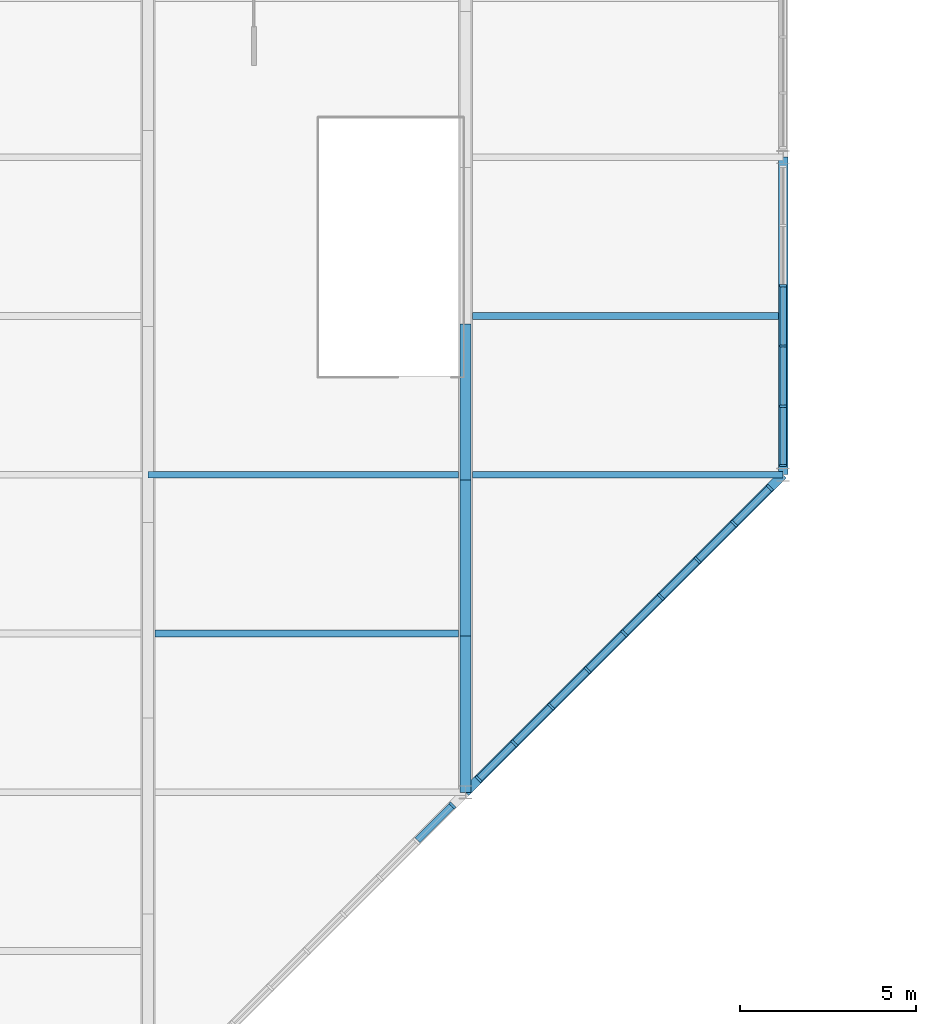
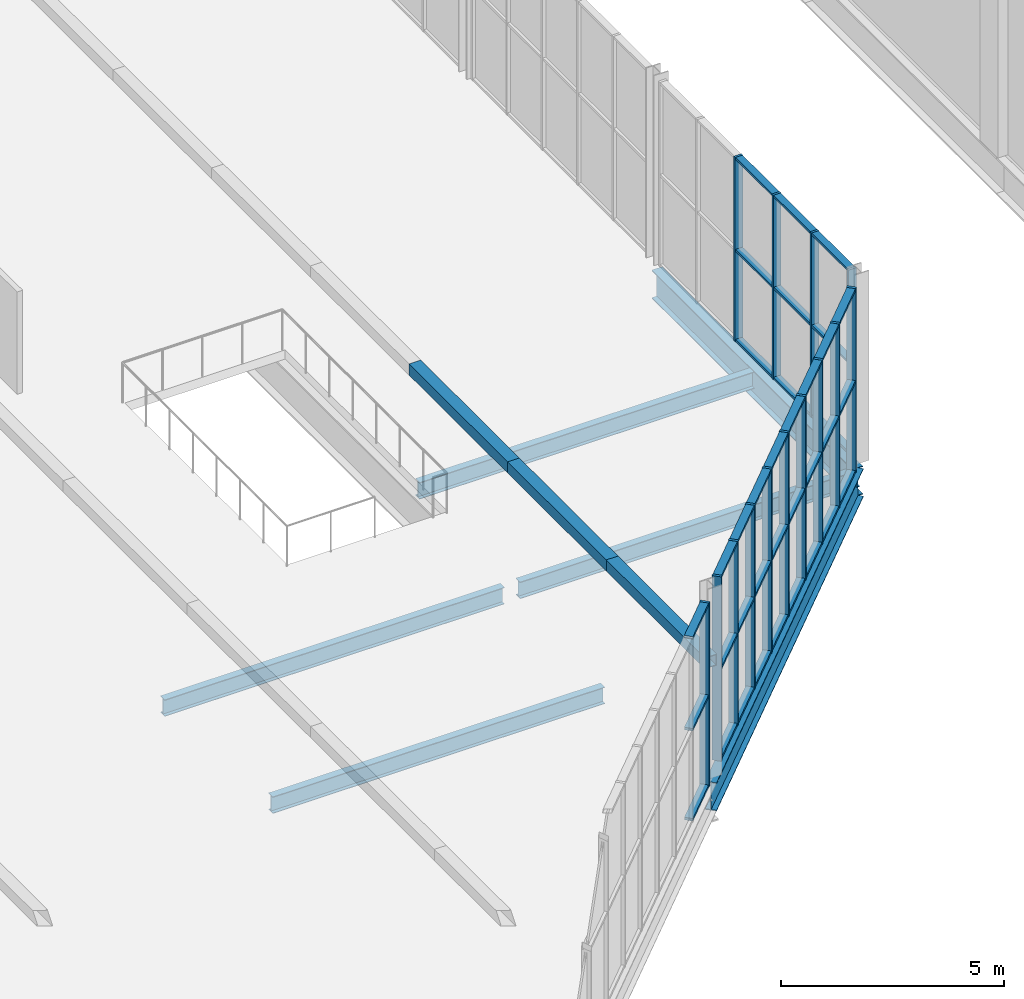
# One storey, part 26 of 134: 53 members, 6 beams, 3 elements without a shape of their own.
"""IFC4 building model written with IfcOpenShell, lengths in metres."""

import ifcopenshell
import ifcopenshell.guid

model = None  # the IFC model being written
_history = None  # IfcOwnerHistory: only IFC2X3 demands one
_inside = {}  # id of a spatial element -> (the spatial element, [elements in it])
_under = {}  # id of a project, library or spatial element -> (it, [spatial elements below it])
_declared = {}  # id of a project -> (the project, [libraries it declares])
_typed = {}  # id of a type object -> (the type object, [elements of that type])
_made_of = {}  # id of a material, layer set ... -> (it, [elements and type objects made of it])


def new_model(schema):
    """Start an empty IFC model of exactly this schema.

    Asked for "IFC4X3", IfcOpenShell would pick the latest addendum, in which some entities
    have other attributes; the version numbers below select the first issue.
    IFC2X3 requires an IfcOwnerHistory on every rooted entity: one is made here for all.
    """
    global model, _history
    if schema == "IFC4X3":
        model = ifcopenshell.file(schema_version=(4, 3, 0, 0))
    else:
        model = ifcopenshell.file(schema=schema)
    _inside.clear()
    _under.clear()
    _declared.clear()
    _typed.clear()
    _made_of.clear()
    _history = None
    if model.schema == "IFC2X3":
        org = make("IfcOrganization", Name="unknown")
        user = make(
            "IfcPersonAndOrganization",
            ThePerson=make("IfcPerson", FamilyName="unknown"),
            TheOrganization=org,
        )
        app = make(
            "IfcApplication",
            ApplicationDeveloper=org,
            Version="unknown",
            ApplicationFullName="unknown",
            ApplicationIdentifier="unknown",
        )
        _history = make(
            "IfcOwnerHistory",
            OwningUser=user,
            OwningApplication=app,
            ChangeAction="ADDED",
            CreationDate=0,
        )
    return model


def make(cls, **values):
    """One entity of the class cls with the attributes given. An attribute that is None is left unset."""
    return model.create_entity(
        cls, **{name: value for name, value in values.items() if value is not None}
    )


def rooted(cls, **values):
    """An entity with a GlobalId (a new one), such as an element, a storey or a relation."""
    return make(cls, GlobalId=ifcopenshell.guid.new(), OwnerHistory=_history, **values)


def si_unit(unit_type, name, prefix=None):
    """IfcSIUnit, for example si_unit("LENGTHUNIT", "METRE", prefix="MILLI")."""
    return make("IfcSIUnit", UnitType=unit_type, Prefix=prefix, Name=name)


def assignment(units):
    """IfcUnitAssignment: the units of a project."""
    return None if units is None else make("IfcUnitAssignment", Units=units)


def point(xyz):
    """IfcCartesianPoint."""
    return None if xyz is None else make("IfcCartesianPoint", Coordinates=xyz)


def direction(xyz):
    """IfcDirection."""
    return None if xyz is None else make("IfcDirection", DirectionRatios=xyz)


def frame(location, z_axis=None, x_axis=None):
    """IfcAxis2Placement3D, a coordinate frame: its origin and axes. An axis left out is left unset."""
    return make(
        "IfcAxis2Placement3D",
        Location=point(location),
        Axis=direction(z_axis),
        RefDirection=direction(x_axis),
    )


def frame_2d(location, x_axis=None):
    """IfcAxis2Placement2D, a coordinate frame in the plane: its origin and x axis."""
    return make(
        "IfcAxis2Placement2D", Location=point(location), RefDirection=direction(x_axis)
    )


def origin():
    """The frame at (0, 0, 0) with its axes left unset."""
    return frame((0.0, 0.0, 0.0))


def origin_2d():
    """The frame at (0, 0) in the plane with its x axis left unset."""
    return frame_2d((0.0, 0.0))


def place(relative_to, where):
    """IfcLocalPlacement: puts the frame where relative to a parent placement (None: the world)."""
    return make(
        "IfcLocalPlacement", PlacementRelTo=relative_to, RelativePlacement=where
    )


def context(
    kind, dimensions, precision=None, world=None, true_north=None, identifier=None
):
    """IfcGeometricRepresentationContext, for example the 3D "Model" context."""
    return make(
        "IfcGeometricRepresentationContext",
        ContextIdentifier=identifier,
        ContextType=kind,
        CoordinateSpaceDimension=dimensions,
        Precision=precision,
        WorldCoordinateSystem=world,
        TrueNorth=true_north,
    )


def subcontext(parent, identifier, kind, view, scale=None):
    """IfcGeometricRepresentationSubContext, for example "Body" below "Model"."""
    return make(
        "IfcGeometricRepresentationSubContext",
        ContextIdentifier=identifier,
        ContextType=kind,
        ParentContext=parent,
        TargetScale=scale,
        TargetView=view,
    )


def project(units=None, contexts=None):
    """IfcProject with its units and contexts."""
    return rooted(
        "IfcProject",
        Name="project",
        RepresentationContexts=contexts,
        UnitsInContext=assignment(units),
    )


def spatial(cls, under=None, at=None, **own):
    """A site, building, storey or space (cls), placed at a placement, below another one or the project."""
    s = rooted(cls, ObjectPlacement=at, **own)
    if under is not None:
        _under.setdefault(under.id(), (under, []))[1].append(s)
    return s


def profile(cls, at=None, kind="AREA", **sizes):
    """A parametric profile (cls). Its sizes go by their IFC names, for example OverallWidth=200.0."""
    return make(cls, ProfileType=kind, Position=at, **sizes)


def rectangle(**sizes):
    """IfcRectangleProfileDef."""
    return profile("IfcRectangleProfileDef", **sizes)


def hollow_rectangle(**sizes):
    """IfcRectangleHollowProfileDef."""
    return profile("IfcRectangleHollowProfileDef", **sizes)


def i_section(**sizes):
    """IfcIShapeProfileDef."""
    return profile("IfcIShapeProfileDef", **sizes)


def extrude(swept, where, along, depth):
    """IfcExtrudedAreaSolid: the profile swept, set in the frame where, extruded along a direction by depth."""
    return make(
        "IfcExtrudedAreaSolid",
        SweptArea=swept,
        Position=where,
        ExtrudedDirection=direction(along),
        Depth=depth,
    )


def shape(context_of_items, identifier, shape_type, items):
    """IfcShapeRepresentation: the items that make up one representation, for example the "Body"."""
    return make(
        "IfcShapeRepresentation",
        ContextOfItems=context_of_items,
        RepresentationIdentifier=identifier,
        RepresentationType=shape_type,
        Items=items,
    )


def material(Name=None, Category=None):
    """IfcMaterial."""
    return make("IfcMaterial", Name=Name, Category=Category)


def layer(
    of_material, thickness, ventilated=None, Name=None, Category=None, Priority=None
):
    """IfcMaterialLayer: one layer of a wall or slab, of a material (None: an air gap)."""
    return make(
        "IfcMaterialLayer",
        Material=of_material,
        LayerThickness=thickness,
        IsVentilated=ventilated,
        Name=Name,
        Category=Category,
        Priority=Priority,
    )


def layer_set(layers, Name=None):
    """IfcMaterialLayerSet."""
    return make("IfcMaterialLayerSet", MaterialLayers=layers, LayerSetName=Name)


def material_profile(
    of_material, cross_section, Name=None, Category=None, Priority=None
):
    """IfcMaterialProfile: a cross section and its material."""
    return make(
        "IfcMaterialProfile",
        Name=Name,
        Material=of_material,
        Profile=cross_section,
        Priority=Priority,
        Category=Category,
    )


def profile_set(profiles, Name=None, composite=None):
    """IfcMaterialProfileSet."""
    return make(
        "IfcMaterialProfileSet",
        Name=Name,
        MaterialProfiles=profiles,
        CompositeProfile=composite,
    )


def made_of(thing, what):
    """Note that an element or type object is made of a material, layer set ...; save() writes the relation."""
    if what is not None:
        _made_of.setdefault(what.id(), (what, []))[1].append(thing)
    return thing


def type_object(cls, material=None, **own):
    """A type object (cls), such as IfcWallType, which elements share."""
    return made_of(rooted(cls, **own), material)


def element(
    cls,
    number,
    at=None,
    inside=None,
    cuts=None,
    type_object=None,
    material=None,
    context=None,
    identifier="Body",
    shape_type=None,
    held_by="IfcProductDefinitionShape",
    body=None,
    shapes=None,
    **own,
):
    """One element of the class cls, such as IfcWall. Its Tag is "e" and its number.

    at: its placement. inside: the storey or other place that contains it. cuts: it is an
    opening in that element (IfcRelVoidsElement). A single representation is given by context,
    identifier, shape_type and body (its items); several are given by shapes. held_by: the class
    of the entity that holds the representations. save() writes the other relations.
    """
    e = rooted(cls, Tag="e%d" % number, ObjectPlacement=at, **own)
    if body is not None:
        shapes = [shape(context, identifier, shape_type, body)]
    if shapes is not None:
        e.Representation = make(held_by, Representations=shapes)
    if inside is not None:
        _inside.setdefault(inside.id(), (inside, []))[1].append(e)
    if cuts is not None:
        rooted(
            "IfcRelVoidsElement", RelatingBuildingElement=cuts, RelatedOpeningElement=e
        )
    if type_object is not None:
        _typed.setdefault(type_object.id(), (type_object, []))[1].append(e)
    return made_of(e, material)


def aggregate(whole, parts):
    """IfcRelAggregates: a whole, such as a stair, and the parts it consists of."""
    return rooted("IfcRelAggregates", RelatingObject=whole, RelatedObjects=parts)


def save(model, path):
    """Write the relations noted so far, then the file.

    IfcRelAggregates (storeys below a building ...), IfcRelContainedInSpatialStructure (elements
    in a storey), IfcRelDefinesByType, IfcRelAssociatesMaterial and IfcRelDeclares: one each for
    every whole, place, type object, material and project.
    """
    for whole, parts in _under.values():
        aggregate(whole, parts)
    for where, things in _inside.values():
        rooted(
            "IfcRelContainedInSpatialStructure",
            RelatedElements=things,
            RelatingStructure=where,
        )
    for kind, things in _typed.values():
        rooted("IfcRelDefinesByType", RelatedObjects=things, RelatingType=kind)
    for what, things in _made_of.values():
        rooted("IfcRelAssociatesMaterial", RelatedObjects=things, RelatingMaterial=what)
    for by, libraries in _declared.values():
        rooted("IfcRelDeclares", RelatingContext=by, RelatedDefinitions=libraries)
    model.write(path)


model = new_model("IFC4")

# Units and contexts
model_context = context("Model", 3, precision=1e-05, world=origin(), true_north=direction((0.0, 1.0)))
body_context = subcontext(model_context, "Body", "Model", "MODEL_VIEW")
ifc_project = project(units=[si_unit("LENGTHUNIT", "METRE"), si_unit("AREAUNIT", "SQUARE_METRE"), si_unit("VOLUMEUNIT", "CUBIC_METRE"), si_unit("PLANEANGLEUNIT", "RADIAN"), si_unit("MASSUNIT", "GRAM", prefix="KILO")], contexts=[model_context])

# Site, building, storey
site_placement = place(None, origin())
site = spatial("IfcSite", under=ifc_project, at=site_placement, CompositionType="ELEMENT")
building_placement = place(site_placement, origin())
building = spatial("IfcBuilding", under=site, at=building_placement, Name="Cazmaro Siding Exhibition Halls", CompositionType="ELEMENT")
storey_placement = place(building_placement, frame((0.0, 0.0, 12.0)))
storey = spatial("IfcBuildingStorey", under=building, at=storey_placement, Name="L02", CompositionType="ELEMENT", Elevation=12.0)

# Beams
ifc_material_1 = material(Name="Steel ASTM A992 Grade 50", Category="steel")
ifc_material_profile_1 = material_profile(ifc_material_1, i_section(OverallWidth=0.26708984375, OverallDepth=0.779052734375, WebThickness=0.01708984375, FlangeThickness=0.02490234375, at=origin_2d()), Name="W30X148")
ifc_profile_set_1 = profile_set([ifc_material_profile_1], Name="Steel ASTM A992 Grade 50")
beam_type_1 = type_object("IfcBeamType", Name="B-05", PredefinedType="BEAM", material=ifc_profile_set_1)
beam_1_placement = place(storey_placement, frame((54.0, 18.0, -0.638916015625), z_axis=(0.707106781187, 0.707106781187, 0.0), x_axis=(-0.707106781187, 0.707106781187, 0.0)))
element("IfcBeam", 1, at=beam_1_placement, inside=storey, type_object=beam_type_1, Name="Beam B-05 BM-1740", PredefinedType="BEAM", context=body_context, shape_type="SweptSolid", body=[
    extrude(i_section(OverallWidth=0.26708984375, OverallDepth=0.779052734375, WebThickness=0.01708984375, FlangeThickness=0.02490234375, at=origin_2d()), origin(), (0.0, 0.0, 1.0), 12.72802734375),
])
beam_2_placement = place(storey_placement, frame((63.0, 27.0, -0.638916015625), z_axis=(0.0, 1.0, 0.0), x_axis=(-1.0, 0.0, 0.0)))
element("IfcBeam", 2, at=beam_2_placement, inside=storey, type_object=beam_type_1, Name="Beam B-05 BM-1742", PredefinedType="BEAM", context=body_context, shape_type="SweptSolid", body=[
    extrude(i_section(OverallWidth=0.26708984375, OverallDepth=0.779052734375, WebThickness=0.01708984375, FlangeThickness=0.02490234375, at=origin_2d()), origin(), (0.0, 0.0, 1.0), 9.0),
])

# Curtain wall, members
ifc_material_2 = material(Name="Anodized Bronze Aluminum and Solar-Control Low-E Glazing", Category="aluminium")
ifc_layer_1 = layer(ifc_material_2, 0.199951171875)
ifc_layer_set_1 = layer_set([ifc_layer_1], Name="Anodized Bronze Aluminum and Solar-Control Low-E Glazing")
curtain_wall_type_1 = type_object("IfcCurtainWallType", Name="CWS-02", PredefinedType="USERDEFINED", material=ifc_layer_set_1)
curtain_wall_1_placement = place(storey_placement, origin())
curtain_wall_1 = element("IfcCurtainWall", 3, at=curtain_wall_1_placement, inside=storey, type_object=curtain_wall_type_1, Name="Glazed Curtain Wall CWS-02 CW-218", ObjectType="GLAZED CURTAIN WALL", PredefinedType="USERDEFINED")
ifc_material_3 = material(Name="Anodized Bronze Extruded Aluminum", Category="aluminium")
ifc_material_profile_2 = material_profile(ifc_material_3, rectangle(XDim=0.199951171875, YDim=0.06494140625, at=origin_2d()), Name="CWM-02")
ifc_profile_set_2 = profile_set([ifc_material_profile_2], Name="Anodized Bronze Extruded Aluminum")
member_type_1 = type_object("IfcMemberType", Name="CWM-02", PredefinedType="MULLION", material=ifc_profile_set_2)
member_1_placement = place(storey_placement, frame((63.0, 27.263427734375, 0.0), z_axis=(0.0, 0.0, 1.0), x_axis=(-1.0, 0.0, 0.0)))
member_1 = element("IfcMember", 4, at=member_1_placement, type_object=member_type_1, Name="CWS-02 mullion 1", PredefinedType="MULLION", context=body_context, shape_type="SweptSolid", body=[
    extrude(rectangle(XDim=0.199951171875, YDim=0.06494140625, at=origin_2d()), origin(), (0.0, 0.0, 1.0), 5.050048828125),
])
member_2_placement = place(storey_placement, frame((63.0, 28.938720703125, 0.0), z_axis=(0.0, 0.0, 1.0), x_axis=(-1.0, 0.0, 0.0)))
member_2 = element("IfcMember", 5, at=member_2_placement, type_object=member_type_1, Name="CWS-02 mullion 2", PredefinedType="MULLION", context=body_context, shape_type="SweptSolid", body=[
    extrude(rectangle(XDim=0.199951171875, YDim=0.06494140625, at=origin_2d()), origin(), (0.0, 0.0, 1.0), 5.050048828125),
])
member_3_placement = place(storey_placement, frame((63.0, 30.646240234375, 0.0), z_axis=(0.0, 0.0, 1.0), x_axis=(-1.0, 0.0, 0.0)))
member_3 = element("IfcMember", 6, at=member_3_placement, type_object=member_type_1, Name="CWS-02 mullion 3", PredefinedType="MULLION", context=body_context, shape_type="SweptSolid", body=[
    extrude(rectangle(XDim=0.199951171875, YDim=0.06494140625, at=origin_2d()), origin(), (0.0, 0.0, 1.0), 5.050048828125),
])
member_4_placement = place(storey_placement, frame((63.0, 32.353759765625, 0.0), z_axis=(0.0, 0.0, 1.0), x_axis=(-1.0, 0.0, 0.0)))
member_4 = element("IfcMember", 7, at=member_4_placement, type_object=member_type_1, Name="CWS-02 mullion 4", PredefinedType="MULLION", context=body_context, shape_type="SweptSolid", body=[
    extrude(rectangle(XDim=0.199951171875, YDim=0.06494140625, at=origin_2d()), origin(), (0.0, 0.0, 1.0), 5.050048828125),
])

# Curtain wall, member
ifc_material_4 = material(Name="Anodized Bronze Aluminum and Solar-Control Low-E Glazing", Category="aluminium")
ifc_layer_2 = layer(ifc_material_4, 0.219970703125)
ifc_layer_set_2 = layer_set([ifc_layer_2], Name="Anodized Bronze Aluminum and Solar-Control Low-E Glazing")
curtain_wall_type_2 = type_object("IfcCurtainWallType", Name="CWS-03", PredefinedType="USERDEFINED", material=ifc_layer_set_2)
curtain_wall_2_placement = place(storey_placement, origin())
curtain_wall_2 = element("IfcCurtainWall", 8, at=curtain_wall_2_placement, inside=storey, type_object=curtain_wall_type_2, Name="Glazed Curtain Wall CWS-03 CW-213", ObjectType="GLAZED CURTAIN WALL", PredefinedType="USERDEFINED")
ifc_material_5 = material(Name="Anodized Bronze Extruded Aluminum", Category="aluminium")
ifc_material_profile_3 = material_profile(ifc_material_5, rectangle(XDim=0.219970703125, YDim=0.070068359375, at=origin_2d()), Name="CWM-03")
ifc_profile_set_3 = profile_set([ifc_material_profile_3], Name="Anodized Bronze Extruded Aluminum")
member_type_2 = type_object("IfcMemberType", Name="CWM-03", PredefinedType="MULLION", material=ifc_profile_set_3)
member_5_placement = place(storey_placement, frame((53.625244140625, 17.625244140625, 0.0), z_axis=(0.0, 0.0, 1.0), x_axis=(-0.707106781187, 0.707106781187, 0.0)))
member_5 = element("IfcMember", 9, at=member_5_placement, type_object=member_type_2, Name="CWS-03 mullion 9", PredefinedType="MULLION", context=body_context, shape_type="SweptSolid", body=[
    extrude(rectangle(XDim=0.219970703125, YDim=0.070068359375, at=origin_2d()), origin(), (0.0, 0.0, 1.0), 5.050048828125),
])

# Curtain wall, members
curtain_wall_3_placement = place(storey_placement, origin())
curtain_wall_3 = element("IfcCurtainWall", 10, at=curtain_wall_3_placement, inside=storey, type_object=curtain_wall_type_2, Name="Glazed Curtain Wall CWS-03 CW-216", ObjectType="GLAZED CURTAIN WALL", PredefinedType="USERDEFINED")
member_6_placement = place(storey_placement, frame((54.374755859375, 18.374755859375, 0.0), z_axis=(0.0, 0.0, 1.0), x_axis=(-0.707106781187, 0.707106781187, 0.0)))
member_6 = element("IfcMember", 11, at=member_6_placement, type_object=member_type_2, Name="CWS-03 mullion 1", PredefinedType="MULLION", context=body_context, shape_type="SweptSolid", body=[
    extrude(rectangle(XDim=0.219970703125, YDim=0.070068359375, at=origin_2d()), origin(), (0.0, 0.0, 1.0), 5.050048828125),
])
member_7_placement = place(storey_placement, frame((55.387451171875, 19.387451171875, 0.0), z_axis=(0.0, 0.0, 1.0), x_axis=(-0.707106781187, 0.707106781187, 0.0)))
member_7 = element("IfcMember", 12, at=member_7_placement, type_object=member_type_2, Name="CWS-03 mullion 2", PredefinedType="MULLION", context=body_context, shape_type="SweptSolid", body=[
    extrude(rectangle(XDim=0.219970703125, YDim=0.070068359375, at=origin_2d()), origin(), (0.0, 0.0, 1.0), 5.050048828125),
])
member_8_placement = place(storey_placement, frame((56.425048828125, 20.425048828125, 0.0), z_axis=(0.0, 0.0, 1.0), x_axis=(-0.707106781187, 0.707106781187, 0.0)))
member_8 = element("IfcMember", 13, at=member_8_placement, type_object=member_type_2, Name="CWS-03 mullion 3", PredefinedType="MULLION", context=body_context, shape_type="SweptSolid", body=[
    extrude(rectangle(XDim=0.219970703125, YDim=0.070068359375, at=origin_2d()), origin(), (0.0, 0.0, 1.0), 5.050048828125),
])
member_9_placement = place(storey_placement, frame((57.46240234375, 21.46240234375, 0.0), z_axis=(0.0, 0.0, 1.0), x_axis=(-0.707106781187, 0.707106781187, 0.0)))
member_9 = element("IfcMember", 14, at=member_9_placement, type_object=member_type_2, Name="CWS-03 mullion 4", PredefinedType="MULLION", context=body_context, shape_type="SweptSolid", body=[
    extrude(rectangle(XDim=0.219970703125, YDim=0.070068359375, at=origin_2d()), origin(), (0.0, 0.0, 1.0), 5.050048828125),
])
member_10_placement = place(storey_placement, frame((58.5, 22.5, 0.0), z_axis=(0.0, 0.0, 1.0), x_axis=(-0.707106781187, 0.707106781187, 0.0)))
member_10 = element("IfcMember", 15, at=member_10_placement, type_object=member_type_2, Name="CWS-03 mullion 5", PredefinedType="MULLION", context=body_context, shape_type="SweptSolid", body=[
    extrude(rectangle(XDim=0.219970703125, YDim=0.070068359375, at=origin_2d()), origin(), (0.0, 0.0, 1.0), 5.050048828125),
])
member_11_placement = place(storey_placement, frame((59.53759765625, 23.53759765625, 0.0), z_axis=(0.0, 0.0, 1.0), x_axis=(-0.707106781187, 0.707106781187, 0.0)))
member_11 = element("IfcMember", 16, at=member_11_placement, type_object=member_type_2, Name="CWS-03 mullion 6", PredefinedType="MULLION", context=body_context, shape_type="SweptSolid", body=[
    extrude(rectangle(XDim=0.219970703125, YDim=0.070068359375, at=origin_2d()), origin(), (0.0, 0.0, 1.0), 5.050048828125),
])
member_12_placement = place(storey_placement, frame((60.574951171875, 24.574951171875, 0.0), z_axis=(0.0, 0.0, 1.0), x_axis=(-0.707106781187, 0.707106781187, 0.0)))
member_12 = element("IfcMember", 17, at=member_12_placement, type_object=member_type_2, Name="CWS-03 mullion 7", PredefinedType="MULLION", context=body_context, shape_type="SweptSolid", body=[
    extrude(rectangle(XDim=0.219970703125, YDim=0.070068359375, at=origin_2d()), origin(), (0.0, 0.0, 1.0), 5.050048828125),
])
member_13_placement = place(storey_placement, frame((61.612548828125, 25.612548828125, 0.0), z_axis=(0.0, 0.0, 1.0), x_axis=(-0.707106781187, 0.707106781187, 0.0)))
member_13 = element("IfcMember", 18, at=member_13_placement, type_object=member_type_2, Name="CWS-03 mullion 8", PredefinedType="MULLION", context=body_context, shape_type="SweptSolid", body=[
    extrude(rectangle(XDim=0.219970703125, YDim=0.070068359375, at=origin_2d()), origin(), (0.0, 0.0, 1.0), 5.050048828125),
])
member_14_placement = place(storey_placement, frame((62.625244140625, 26.625244140625, 0.0), z_axis=(0.0, 0.0, 1.0), x_axis=(-0.707106781187, 0.707106781187, 0.0)))
member_14 = element("IfcMember", 19, at=member_14_placement, type_object=member_type_2, Name="CWS-03 mullion 9", PredefinedType="MULLION", context=body_context, shape_type="SweptSolid", body=[
    extrude(rectangle(XDim=0.219970703125, YDim=0.070068359375, at=origin_2d()), origin(), (0.0, 0.0, 1.0), 5.050048828125),
])

# Member
ifc_material_6 = material(Name="Anodized Bronze Extruded Aluminum", Category="aluminium")
ifc_material_profile_4 = material_profile(ifc_material_6, rectangle(XDim=0.179931640625, YDim=0.06494140625, at=origin_2d()), Name="CWT-02")
ifc_profile_set_4 = profile_set([ifc_material_profile_4], Name="Anodized Bronze Extruded Aluminum")
member_type_3 = type_object("IfcMemberType", Name="CWT-02", PredefinedType="MULLION", material=ifc_profile_set_4)
member_15_placement = place(storey_placement, frame((63.0, 27.2958984375, 0.032470703125), z_axis=(0.0, 1.0, 0.0), x_axis=(-1.0, 0.0, 0.0)))
member_15 = element("IfcMember", 20, at=member_15_placement, type_object=member_type_3, Name="CWS-02 transom 1.1", ObjectType="TRANSOM", PredefinedType="USERDEFINED", context=body_context, shape_type="SweptSolid", body=[
    extrude(rectangle(XDim=0.179931640625, YDim=0.06494140625, at=origin_2d()), origin(), (0.0, 0.0, 1.0), 1.610107421875),
])

member_16_placement = place(storey_placement, frame((63.0, 27.2958984375, 2.5), z_axis=(0.0, 1.0, 0.0), x_axis=(-1.0, 0.0, 0.0)))
member_16 = element("IfcMember", 21, at=member_16_placement, type_object=member_type_3, Name="CWS-02 transom 1.2", ObjectType="TRANSOM", PredefinedType="USERDEFINED", context=body_context, shape_type="SweptSolid", body=[
    extrude(rectangle(XDim=0.179931640625, YDim=0.06494140625, at=origin_2d()), origin(), (0.0, 0.0, 1.0), 1.610107421875),
])

member_17_placement = place(storey_placement, frame((63.0, 27.2958984375, 5.017578125), z_axis=(0.0, 1.0, 0.0), x_axis=(-1.0, 0.0, 0.0)))
member_17 = element("IfcMember", 22, at=member_17_placement, type_object=member_type_3, Name="CWS-02 transom 1.3", ObjectType="TRANSOM", PredefinedType="USERDEFINED", context=body_context, shape_type="SweptSolid", body=[
    extrude(rectangle(XDim=0.179931640625, YDim=0.06494140625, at=origin_2d()), origin(), (0.0, 0.0, 1.0), 1.610107421875),
])

member_18_placement = place(storey_placement, frame((63.0, 28.97119140625, 0.032470703125), z_axis=(0.0, 1.0, 0.0), x_axis=(-1.0, 0.0, 0.0)))
member_18 = element("IfcMember", 23, at=member_18_placement, type_object=member_type_3, Name="CWS-02 transom 2.1", ObjectType="TRANSOM", PredefinedType="USERDEFINED", context=body_context, shape_type="SweptSolid", body=[
    extrude(rectangle(XDim=0.179931640625, YDim=0.06494140625, at=origin_2d()), origin(), (0.0, 0.0, 1.0), 1.642578125),
])

member_19_placement = place(storey_placement, frame((63.0, 28.97119140625, 2.5), z_axis=(0.0, 1.0, 0.0), x_axis=(-1.0, 0.0, 0.0)))
member_19 = element("IfcMember", 24, at=member_19_placement, type_object=member_type_3, Name="CWS-02 transom 2.2", ObjectType="TRANSOM", PredefinedType="USERDEFINED", context=body_context, shape_type="SweptSolid", body=[
    extrude(rectangle(XDim=0.179931640625, YDim=0.06494140625, at=origin_2d()), origin(), (0.0, 0.0, 1.0), 1.642578125),
])

member_20_placement = place(storey_placement, frame((63.0, 28.97119140625, 5.017578125), z_axis=(0.0, 1.0, 0.0), x_axis=(-1.0, 0.0, 0.0)))
member_20 = element("IfcMember", 25, at=member_20_placement, type_object=member_type_3, Name="CWS-02 transom 2.3", ObjectType="TRANSOM", PredefinedType="USERDEFINED", context=body_context, shape_type="SweptSolid", body=[
    extrude(rectangle(XDim=0.179931640625, YDim=0.06494140625, at=origin_2d()), origin(), (0.0, 0.0, 1.0), 1.642578125),
])

member_21_placement = place(storey_placement, frame((63.0, 30.6787109375, 0.032470703125), z_axis=(0.0, 1.0, 0.0), x_axis=(-1.0, 0.0, 0.0)))
member_21 = element("IfcMember", 26, at=member_21_placement, type_object=member_type_3, Name="CWS-02 transom 3.1", ObjectType="TRANSOM", PredefinedType="USERDEFINED", context=body_context, shape_type="SweptSolid", body=[
    extrude(rectangle(XDim=0.179931640625, YDim=0.06494140625, at=origin_2d()), origin(), (0.0, 0.0, 1.0), 1.642578125),
])

member_22_placement = place(storey_placement, frame((63.0, 30.6787109375, 2.5), z_axis=(0.0, 1.0, 0.0), x_axis=(-1.0, 0.0, 0.0)))
member_22 = element("IfcMember", 27, at=member_22_placement, type_object=member_type_3, Name="CWS-02 transom 3.2", ObjectType="TRANSOM", PredefinedType="USERDEFINED", context=body_context, shape_type="SweptSolid", body=[
    extrude(rectangle(XDim=0.179931640625, YDim=0.06494140625, at=origin_2d()), origin(), (0.0, 0.0, 1.0), 1.642578125),
])

member_23_placement = place(storey_placement, frame((63.0, 30.6787109375, 5.017578125), z_axis=(0.0, 1.0, 0.0), x_axis=(-1.0, 0.0, 0.0)))
member_23 = element("IfcMember", 28, at=member_23_placement, type_object=member_type_3, Name="CWS-02 transom 3.3", ObjectType="TRANSOM", PredefinedType="USERDEFINED", context=body_context, shape_type="SweptSolid", body=[
    extrude(rectangle(XDim=0.179931640625, YDim=0.06494140625, at=origin_2d()), origin(), (0.0, 0.0, 1.0), 1.642578125),
])

aggregate(curtain_wall_1, [member_1, member_2, member_3, member_4, member_15, member_16, member_17, member_18, member_19, member_20, member_21, member_22, member_23])

ifc_material_7 = material(Name="Anodized Bronze Extruded Aluminum", Category="aluminium")
ifc_material_profile_5 = material_profile(ifc_material_7, rectangle(XDim=0.199951171875, YDim=0.070068359375, at=origin_2d()), Name="CWT-03")
ifc_profile_set_5 = profile_set([ifc_material_profile_5], Name="Anodized Bronze Extruded Aluminum")
member_type_4 = type_object("IfcMemberType", Name="CWT-03", PredefinedType="MULLION", material=ifc_profile_set_5)
member_24_placement = place(storey_placement, frame((52.63720703125, 16.63720703125, 0.034912109375), z_axis=(0.707106781187, 0.707106781187, 0.0), x_axis=(-0.707106781187, 0.707106781187, 0.0)))
member_24 = element("IfcMember", 29, at=member_24_placement, type_object=member_type_4, Name="CWS-03 transom 8.1", ObjectType="TRANSOM", PredefinedType="USERDEFINED", context=body_context, shape_type="SweptSolid", body=[
    extrude(rectangle(XDim=0.199951171875, YDim=0.070068359375, at=origin_2d()), origin(), (0.0, 0.0, 1.0), 1.3623046875),
])

member_25_placement = place(storey_placement, frame((52.63720703125, 16.63720703125, 2.5), z_axis=(0.707106781187, 0.707106781187, 0.0), x_axis=(-0.707106781187, 0.707106781187, 0.0)))
member_25 = element("IfcMember", 30, at=member_25_placement, type_object=member_type_4, Name="CWS-03 transom 8.2", ObjectType="TRANSOM", PredefinedType="USERDEFINED", context=body_context, shape_type="SweptSolid", body=[
    extrude(rectangle(XDim=0.199951171875, YDim=0.070068359375, at=origin_2d()), origin(), (0.0, 0.0, 1.0), 1.3623046875),
])

member_26_placement = place(storey_placement, frame((52.63720703125, 16.63720703125, 5.014892578125), z_axis=(0.707106781187, 0.707106781187, 0.0), x_axis=(-0.707106781187, 0.707106781187, 0.0)))
member_26 = element("IfcMember", 31, at=member_26_placement, type_object=member_type_4, Name="CWS-03 transom 8.3", ObjectType="TRANSOM", PredefinedType="USERDEFINED", context=body_context, shape_type="SweptSolid", body=[
    extrude(rectangle(XDim=0.199951171875, YDim=0.070068359375, at=origin_2d()), origin(), (0.0, 0.0, 1.0), 1.3623046875),
])

aggregate(curtain_wall_2, [member_5, member_24, member_25, member_26])

member_27_placement = place(storey_placement, frame((54.3994140625, 18.3994140625, 0.034912109375), z_axis=(0.707106781187, 0.707106781187, 0.0), x_axis=(-0.707106781187, 0.707106781187, 0.0)))
member_27 = element("IfcMember", 32, at=member_27_placement, type_object=member_type_4, Name="CWS-03 transom 1.1", ObjectType="TRANSOM", PredefinedType="USERDEFINED", context=body_context, shape_type="SweptSolid", body=[
    extrude(rectangle(XDim=0.199951171875, YDim=0.070068359375, at=origin_2d()), origin(), (0.0, 0.0, 1.0), 1.3623046875),
])

member_28_placement = place(storey_placement, frame((54.3994140625, 18.3994140625, 2.5), z_axis=(0.707106781187, 0.707106781187, 0.0), x_axis=(-0.707106781187, 0.707106781187, 0.0)))
member_28 = element("IfcMember", 33, at=member_28_placement, type_object=member_type_4, Name="CWS-03 transom 1.2", ObjectType="TRANSOM", PredefinedType="USERDEFINED", context=body_context, shape_type="SweptSolid", body=[
    extrude(rectangle(XDim=0.199951171875, YDim=0.070068359375, at=origin_2d()), origin(), (0.0, 0.0, 1.0), 1.3623046875),
])

member_29_placement = place(storey_placement, frame((54.3994140625, 18.3994140625, 5.014892578125), z_axis=(0.707106781187, 0.707106781187, 0.0), x_axis=(-0.707106781187, 0.707106781187, 0.0)))
member_29 = element("IfcMember", 34, at=member_29_placement, type_object=member_type_4, Name="CWS-03 transom 1.3", ObjectType="TRANSOM", PredefinedType="USERDEFINED", context=body_context, shape_type="SweptSolid", body=[
    extrude(rectangle(XDim=0.199951171875, YDim=0.070068359375, at=origin_2d()), origin(), (0.0, 0.0, 1.0), 1.3623046875),
])

member_30_placement = place(storey_placement, frame((55.412353515625, 19.412353515625, 0.034912109375), z_axis=(0.707106781187, 0.707106781187, 0.0), x_axis=(-0.707106781187, 0.707106781187, 0.0)))
member_30 = element("IfcMember", 35, at=member_30_placement, type_object=member_type_4, Name="CWS-03 transom 2.1", ObjectType="TRANSOM", PredefinedType="USERDEFINED", context=body_context, shape_type="SweptSolid", body=[
    extrude(rectangle(XDim=0.199951171875, YDim=0.070068359375, at=origin_2d()), origin(), (0.0, 0.0, 1.0), 1.39697265625),
])

member_31_placement = place(storey_placement, frame((55.412353515625, 19.412353515625, 2.5), z_axis=(0.707106781187, 0.707106781187, 0.0), x_axis=(-0.707106781187, 0.707106781187, 0.0)))
member_31 = element("IfcMember", 36, at=member_31_placement, type_object=member_type_4, Name="CWS-03 transom 2.2", ObjectType="TRANSOM", PredefinedType="USERDEFINED", context=body_context, shape_type="SweptSolid", body=[
    extrude(rectangle(XDim=0.199951171875, YDim=0.070068359375, at=origin_2d()), origin(), (0.0, 0.0, 1.0), 1.39697265625),
])

member_32_placement = place(storey_placement, frame((55.412353515625, 19.412353515625, 5.014892578125), z_axis=(0.707106781187, 0.707106781187, 0.0), x_axis=(-0.707106781187, 0.707106781187, 0.0)))
member_32 = element("IfcMember", 37, at=member_32_placement, type_object=member_type_4, Name="CWS-03 transom 2.3", ObjectType="TRANSOM", PredefinedType="USERDEFINED", context=body_context, shape_type="SweptSolid", body=[
    extrude(rectangle(XDim=0.199951171875, YDim=0.070068359375, at=origin_2d()), origin(), (0.0, 0.0, 1.0), 1.39697265625),
])

member_33_placement = place(storey_placement, frame((56.44970703125, 20.44970703125, 0.034912109375), z_axis=(0.707106781187, 0.707106781187, 0.0), x_axis=(-0.707106781187, 0.707106781187, 0.0)))
member_33 = element("IfcMember", 38, at=member_33_placement, type_object=member_type_4, Name="CWS-03 transom 3.1", ObjectType="TRANSOM", PredefinedType="USERDEFINED", context=body_context, shape_type="SweptSolid", body=[
    extrude(rectangle(XDim=0.199951171875, YDim=0.070068359375, at=origin_2d()), origin(), (0.0, 0.0, 1.0), 1.397216796875),
])

member_34_placement = place(storey_placement, frame((56.44970703125, 20.44970703125, 2.5), z_axis=(0.707106781187, 0.707106781187, 0.0), x_axis=(-0.707106781187, 0.707106781187, 0.0)))
member_34 = element("IfcMember", 39, at=member_34_placement, type_object=member_type_4, Name="CWS-03 transom 3.2", ObjectType="TRANSOM", PredefinedType="USERDEFINED", context=body_context, shape_type="SweptSolid", body=[
    extrude(rectangle(XDim=0.199951171875, YDim=0.070068359375, at=origin_2d()), origin(), (0.0, 0.0, 1.0), 1.397216796875),
])

member_35_placement = place(storey_placement, frame((56.44970703125, 20.44970703125, 5.014892578125), z_axis=(0.707106781187, 0.707106781187, 0.0), x_axis=(-0.707106781187, 0.707106781187, 0.0)))
member_35 = element("IfcMember", 40, at=member_35_placement, type_object=member_type_4, Name="CWS-03 transom 3.3", ObjectType="TRANSOM", PredefinedType="USERDEFINED", context=body_context, shape_type="SweptSolid", body=[
    extrude(rectangle(XDim=0.199951171875, YDim=0.070068359375, at=origin_2d()), origin(), (0.0, 0.0, 1.0), 1.397216796875),
])

member_36_placement = place(storey_placement, frame((57.4873046875, 21.4873046875, 0.034912109375), z_axis=(0.707106781187, 0.707106781187, 0.0), x_axis=(-0.707106781187, 0.707106781187, 0.0)))
member_36 = element("IfcMember", 41, at=member_36_placement, type_object=member_type_4, Name="CWS-03 transom 4.1", ObjectType="TRANSOM", PredefinedType="USERDEFINED", context=body_context, shape_type="SweptSolid", body=[
    extrude(rectangle(XDim=0.199951171875, YDim=0.070068359375, at=origin_2d()), origin(), (0.0, 0.0, 1.0), 1.397216796875),
])

member_37_placement = place(storey_placement, frame((57.4873046875, 21.4873046875, 2.5), z_axis=(0.707106781187, 0.707106781187, 0.0), x_axis=(-0.707106781187, 0.707106781187, 0.0)))
member_37 = element("IfcMember", 42, at=member_37_placement, type_object=member_type_4, Name="CWS-03 transom 4.2", ObjectType="TRANSOM", PredefinedType="USERDEFINED", context=body_context, shape_type="SweptSolid", body=[
    extrude(rectangle(XDim=0.199951171875, YDim=0.070068359375, at=origin_2d()), origin(), (0.0, 0.0, 1.0), 1.397216796875),
])

member_38_placement = place(storey_placement, frame((57.4873046875, 21.4873046875, 5.014892578125), z_axis=(0.707106781187, 0.707106781187, 0.0), x_axis=(-0.707106781187, 0.707106781187, 0.0)))
member_38 = element("IfcMember", 43, at=member_38_placement, type_object=member_type_4, Name="CWS-03 transom 4.3", ObjectType="TRANSOM", PredefinedType="USERDEFINED", context=body_context, shape_type="SweptSolid", body=[
    extrude(rectangle(XDim=0.199951171875, YDim=0.070068359375, at=origin_2d()), origin(), (0.0, 0.0, 1.0), 1.397216796875),
])

member_39_placement = place(storey_placement, frame((58.524658203125, 22.524658203125, 0.034912109375), z_axis=(0.707106781187, 0.707106781187, 0.0), x_axis=(-0.707106781187, 0.707106781187, 0.0)))
member_39 = element("IfcMember", 44, at=member_39_placement, type_object=member_type_4, Name="CWS-03 transom 5.1", ObjectType="TRANSOM", PredefinedType="USERDEFINED", context=body_context, shape_type="SweptSolid", body=[
    extrude(rectangle(XDim=0.199951171875, YDim=0.070068359375, at=origin_2d()), origin(), (0.0, 0.0, 1.0), 1.397216796875),
])

member_40_placement = place(storey_placement, frame((58.524658203125, 22.524658203125, 2.5), z_axis=(0.707106781187, 0.707106781187, 0.0), x_axis=(-0.707106781187, 0.707106781187, 0.0)))
member_40 = element("IfcMember", 45, at=member_40_placement, type_object=member_type_4, Name="CWS-03 transom 5.2", ObjectType="TRANSOM", PredefinedType="USERDEFINED", context=body_context, shape_type="SweptSolid", body=[
    extrude(rectangle(XDim=0.199951171875, YDim=0.070068359375, at=origin_2d()), origin(), (0.0, 0.0, 1.0), 1.397216796875),
])

member_41_placement = place(storey_placement, frame((58.524658203125, 22.524658203125, 5.014892578125), z_axis=(0.707106781187, 0.707106781187, 0.0), x_axis=(-0.707106781187, 0.707106781187, 0.0)))
member_41 = element("IfcMember", 46, at=member_41_placement, type_object=member_type_4, Name="CWS-03 transom 5.3", ObjectType="TRANSOM", PredefinedType="USERDEFINED", context=body_context, shape_type="SweptSolid", body=[
    extrude(rectangle(XDim=0.199951171875, YDim=0.070068359375, at=origin_2d()), origin(), (0.0, 0.0, 1.0), 1.397216796875),
])

member_42_placement = place(storey_placement, frame((59.562255859375, 23.562255859375, 0.034912109375), z_axis=(0.707106781187, 0.707106781187, 0.0), x_axis=(-0.707106781187, 0.707106781187, 0.0)))
member_42 = element("IfcMember", 47, at=member_42_placement, type_object=member_type_4, Name="CWS-03 transom 6.1", ObjectType="TRANSOM", PredefinedType="USERDEFINED", context=body_context, shape_type="SweptSolid", body=[
    extrude(rectangle(XDim=0.199951171875, YDim=0.070068359375, at=origin_2d()), origin(), (0.0, 0.0, 1.0), 1.397216796875),
])

member_43_placement = place(storey_placement, frame((59.562255859375, 23.562255859375, 2.5), z_axis=(0.707106781187, 0.707106781187, 0.0), x_axis=(-0.707106781187, 0.707106781187, 0.0)))
member_43 = element("IfcMember", 48, at=member_43_placement, type_object=member_type_4, Name="CWS-03 transom 6.2", ObjectType="TRANSOM", PredefinedType="USERDEFINED", context=body_context, shape_type="SweptSolid", body=[
    extrude(rectangle(XDim=0.199951171875, YDim=0.070068359375, at=origin_2d()), origin(), (0.0, 0.0, 1.0), 1.397216796875),
])

member_44_placement = place(storey_placement, frame((59.562255859375, 23.562255859375, 5.014892578125), z_axis=(0.707106781187, 0.707106781187, 0.0), x_axis=(-0.707106781187, 0.707106781187, 0.0)))
member_44 = element("IfcMember", 49, at=member_44_placement, type_object=member_type_4, Name="CWS-03 transom 6.3", ObjectType="TRANSOM", PredefinedType="USERDEFINED", context=body_context, shape_type="SweptSolid", body=[
    extrude(rectangle(XDim=0.199951171875, YDim=0.070068359375, at=origin_2d()), origin(), (0.0, 0.0, 1.0), 1.397216796875),
])

member_45_placement = place(storey_placement, frame((60.599853515625, 24.599853515625, 0.034912109375), z_axis=(0.707106781187, 0.707106781187, 0.0), x_axis=(-0.707106781187, 0.707106781187, 0.0)))
member_45 = element("IfcMember", 50, at=member_45_placement, type_object=member_type_4, Name="CWS-03 transom 7.1", ObjectType="TRANSOM", PredefinedType="USERDEFINED", context=body_context, shape_type="SweptSolid", body=[
    extrude(rectangle(XDim=0.199951171875, YDim=0.070068359375, at=origin_2d()), origin(), (0.0, 0.0, 1.0), 1.39697265625),
])

member_46_placement = place(storey_placement, frame((60.599853515625, 24.599853515625, 2.5), z_axis=(0.707106781187, 0.707106781187, 0.0), x_axis=(-0.707106781187, 0.707106781187, 0.0)))
member_46 = element("IfcMember", 51, at=member_46_placement, type_object=member_type_4, Name="CWS-03 transom 7.2", ObjectType="TRANSOM", PredefinedType="USERDEFINED", context=body_context, shape_type="SweptSolid", body=[
    extrude(rectangle(XDim=0.199951171875, YDim=0.070068359375, at=origin_2d()), origin(), (0.0, 0.0, 1.0), 1.39697265625),
])

member_47_placement = place(storey_placement, frame((60.599853515625, 24.599853515625, 5.014892578125), z_axis=(0.707106781187, 0.707106781187, 0.0), x_axis=(-0.707106781187, 0.707106781187, 0.0)))
member_47 = element("IfcMember", 52, at=member_47_placement, type_object=member_type_4, Name="CWS-03 transom 7.3", ObjectType="TRANSOM", PredefinedType="USERDEFINED", context=body_context, shape_type="SweptSolid", body=[
    extrude(rectangle(XDim=0.199951171875, YDim=0.070068359375, at=origin_2d()), origin(), (0.0, 0.0, 1.0), 1.39697265625),
])

member_48_placement = place(storey_placement, frame((61.63720703125, 25.63720703125, 0.034912109375), z_axis=(0.707106781187, 0.707106781187, 0.0), x_axis=(-0.707106781187, 0.707106781187, 0.0)))
member_48 = element("IfcMember", 53, at=member_48_placement, type_object=member_type_4, Name="CWS-03 transom 8.1", ObjectType="TRANSOM", PredefinedType="USERDEFINED", context=body_context, shape_type="SweptSolid", body=[
    extrude(rectangle(XDim=0.199951171875, YDim=0.070068359375, at=origin_2d()), origin(), (0.0, 0.0, 1.0), 1.3623046875),
])

member_49_placement = place(storey_placement, frame((61.63720703125, 25.63720703125, 2.5), z_axis=(0.707106781187, 0.707106781187, 0.0), x_axis=(-0.707106781187, 0.707106781187, 0.0)))
member_49 = element("IfcMember", 54, at=member_49_placement, type_object=member_type_4, Name="CWS-03 transom 8.2", ObjectType="TRANSOM", PredefinedType="USERDEFINED", context=body_context, shape_type="SweptSolid", body=[
    extrude(rectangle(XDim=0.199951171875, YDim=0.070068359375, at=origin_2d()), origin(), (0.0, 0.0, 1.0), 1.3623046875),
])

member_50_placement = place(storey_placement, frame((61.63720703125, 25.63720703125, 5.014892578125), z_axis=(0.707106781187, 0.707106781187, 0.0), x_axis=(-0.707106781187, 0.707106781187, 0.0)))
member_50 = element("IfcMember", 55, at=member_50_placement, type_object=member_type_4, Name="CWS-03 transom 8.3", ObjectType="TRANSOM", PredefinedType="USERDEFINED", context=body_context, shape_type="SweptSolid", body=[
    extrude(rectangle(XDim=0.199951171875, YDim=0.070068359375, at=origin_2d()), origin(), (0.0, 0.0, 1.0), 1.3623046875),
])

aggregate(curtain_wall_3, [member_6, member_7, member_8, member_9, member_10, member_11, member_12, member_13, member_14, member_27, member_28, member_29, member_30, member_31, member_32, member_33, member_34, member_35, member_36, member_37, member_38, member_39, member_40, member_41, member_42, member_43, member_44, member_45, member_46, member_47, member_48, member_49, member_50])

# Beams
ifc_material_8 = material(Name="Steel ASTM A992 Grade 50", Category="steel")
ifc_material_profile_6 = material_profile(ifc_material_8, i_section(OverallWidth=0.19091796875, OverallDepth=0.45703125, WebThickness=0.009033203125, FlangeThickness=0.013916015625, at=origin_2d()), Name="W18X50")
ifc_profile_set_6 = profile_set([ifc_material_profile_6], Name="Steel ASTM A992 Grade 50")
beam_type_2 = type_object("IfcBeamType", Name="J-01", PredefinedType="JOIST", material=ifc_profile_set_6)
beam_3_placement = place(storey_placement, frame((45.201904296875, 22.5, -0.47900390625), z_axis=(1.0, 0.0, 0.0), x_axis=(0.0, 1.0, 0.0)))
element("IfcBeam", 56, at=beam_3_placement, inside=storey, type_object=beam_type_2, Name="Beam J-01 BM-1837", PredefinedType="JOIST", context=body_context, shape_type="SweptSolid", body=[
    extrude(i_section(OverallWidth=0.19091796875, OverallDepth=0.45703125, WebThickness=0.009033203125, FlangeThickness=0.013916015625, at=origin_2d()), origin(), (0.0, 0.0, 1.0), 8.59619140625),
])
for number, where, z_axis, x_axis, name in (
    (57, (45.0, 27.0, -0.47900390625), (1.0, 0.0, 0.0), (0.0, 1.0, 0.0), "Beam J-01 BM-1843"),
    (58, (54.201904296875, 27.0, -0.47900390625), (1.0, 0.0, 0.0), (0.0, 1.0, 0.0), "Beam J-01 BM-1844"),
):
    element("IfcBeam", number, at=place(storey_placement, frame(where, z_axis=z_axis, x_axis=x_axis)), inside=storey, type_object=beam_type_2, Name=name, PredefinedType="JOIST", context=body_context, shape_type="SweptSolid", body=[
        extrude(i_section(OverallWidth=0.19091796875, OverallDepth=0.45703125, WebThickness=0.009033203125, FlangeThickness=0.013916015625, at=origin_2d()), origin(), (0.0, 0.0, 1.0), 8.798095703125),
    ])
beam_4_placement = place(storey_placement, frame((54.201904296875, 31.5, -0.47900390625), z_axis=(1.0, 0.0, 0.0), x_axis=(0.0, 1.0, 0.0)))
element("IfcBeam", 59, at=beam_4_placement, inside=storey, type_object=beam_type_2, Name="Beam J-01 BM-1850", PredefinedType="JOIST", context=body_context, shape_type="SweptSolid", body=[
    extrude(i_section(OverallWidth=0.19091796875, OverallDepth=0.45703125, WebThickness=0.009033203125, FlangeThickness=0.013916015625, at=origin_2d()), origin(), (0.0, 0.0, 1.0), 8.6640625),
])

# Members
ifc_material_9 = material(Name="Steel ASTM A500 Grade C", Category="steel")
ifc_material_profile_7 = material_profile(ifc_material_9, hollow_rectangle(XDim=0.304931640625, YDim=0.304931640625, WallThickness=0.014892578125, at=origin_2d()), Name="HSS12X12X5/8")
ifc_profile_set_7 = profile_set([ifc_material_profile_7], Name="Steel ASTM A500 Grade C")
member_type_5 = type_object("IfcMemberType", Name="TC-02", PredefinedType="CHORD", material=ifc_profile_set_7)
for number, where, z_axis, x_axis, name in (
    (60, (54.0, 18.0, 3.050048828125), (0.0, 1.0, 0.0), (-1.0, 0.0, 0.0), "Congress folded roof bottom chord TC-02 MEM-3400"),
    (61, (54.0, 22.425048828125, 3.050048828125), (0.0, 1.0, 0.0), (-1.0, 0.0, 0.0), "Congress folded roof bottom chord TC-02 MEM-3403"),
):
    element("IfcMember", number, at=place(storey_placement, frame(where, z_axis=z_axis, x_axis=x_axis)), inside=storey, type_object=member_type_5, Name=name, PredefinedType="CHORD", context=body_context, shape_type="SweptSolid", body=[
        extrude(hollow_rectangle(XDim=0.304931640625, YDim=0.304931640625, WallThickness=0.014892578125, at=origin_2d()), origin(), (0.0, 0.0, 1.0), 4.425048828125),
    ])
member_51_placement = place(storey_placement, frame((54.0, 26.85009765625, 3.050048828125), z_axis=(0.0, 1.0, 0.0), x_axis=(-1.0, 0.0, 0.0)))
element("IfcMember", 62, at=member_51_placement, inside=storey, type_object=member_type_5, Name="Congress folded roof bottom chord TC-02 MEM-3406", PredefinedType="CHORD", context=body_context, shape_type="SweptSolid", body=[
    extrude(hollow_rectangle(XDim=0.304931640625, YDim=0.304931640625, WallThickness=0.014892578125, at=origin_2d()), origin(), (0.0, 0.0, 1.0), 4.4248046875),
])

save(model, "model.ifc")
